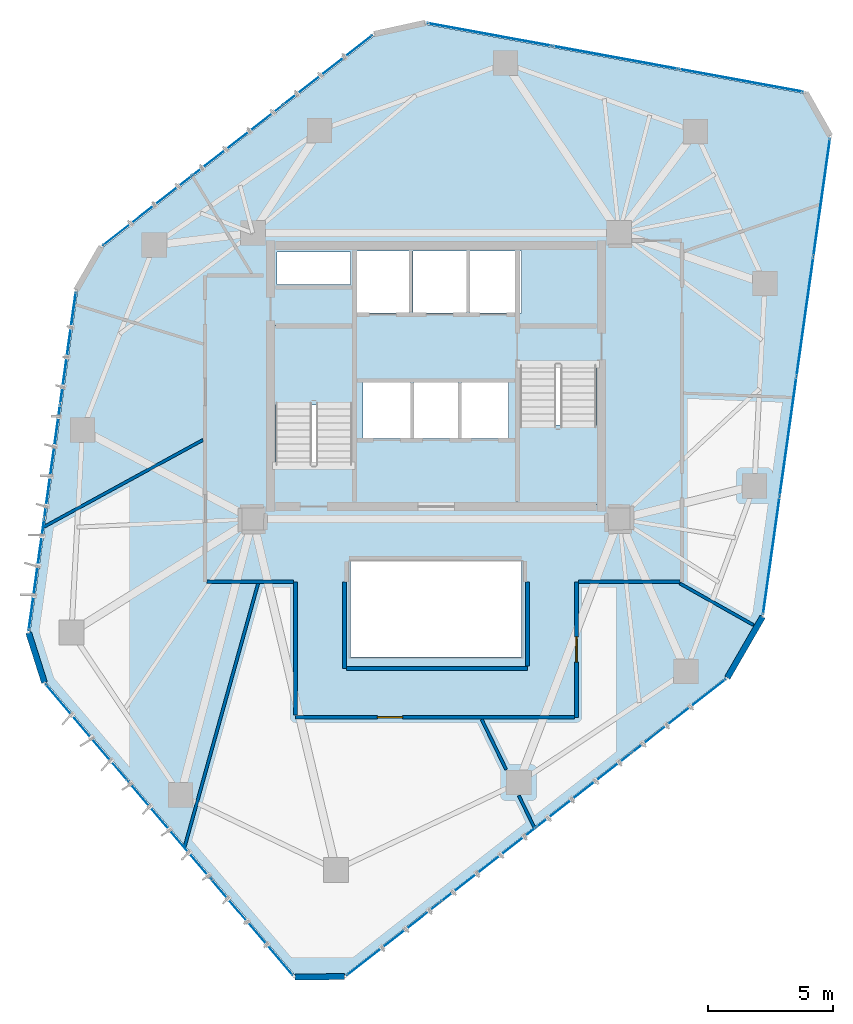
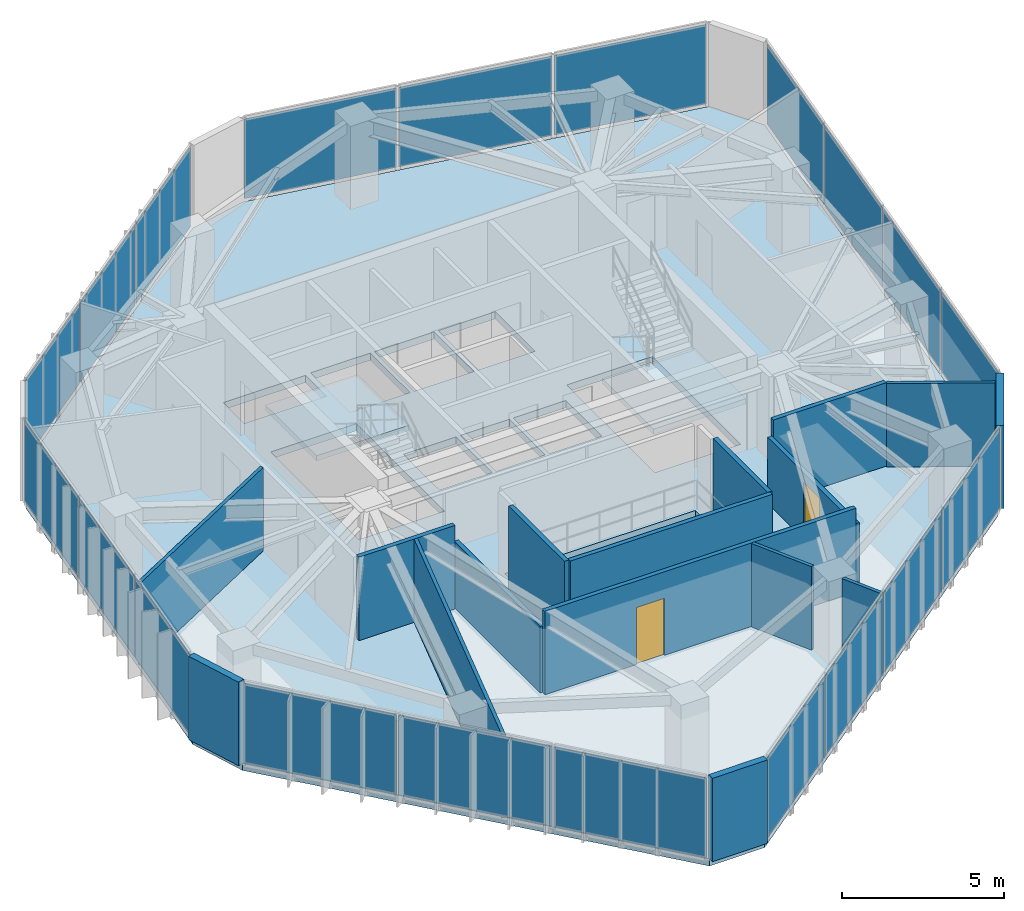
# One storey, part 17 of 21: 20 plates, 16 walls, 3 slabs, 2 doors, 2 openings, 8 elements without a shape of their own.
"""IFC4 building model written with IfcOpenShell, lengths in metres."""

import ifcopenshell
import ifcopenshell.guid

model = None  # the IFC model being written
_history = None  # IfcOwnerHistory: only IFC2X3 demands one
_inside = {}  # id of a spatial element -> (the spatial element, [elements in it])
_under = {}  # id of a project, library or spatial element -> (it, [spatial elements below it])
_declared = {}  # id of a project -> (the project, [libraries it declares])
_typed = {}  # id of a type object -> (the type object, [elements of that type])
_made_of = {}  # id of a material, layer set ... -> (it, [elements and type objects made of it])


def new_model(schema):
    """Start an empty IFC model of exactly this schema.

    Asked for "IFC4X3", IfcOpenShell would pick the latest addendum, in which some entities
    have other attributes; the version numbers below select the first issue.
    IFC2X3 requires an IfcOwnerHistory on every rooted entity: one is made here for all.
    """
    global model, _history
    if schema == "IFC4X3":
        model = ifcopenshell.file(schema_version=(4, 3, 0, 0))
    else:
        model = ifcopenshell.file(schema=schema)
    _inside.clear()
    _under.clear()
    _declared.clear()
    _typed.clear()
    _made_of.clear()
    _history = None
    if model.schema == "IFC2X3":
        org = make("IfcOrganization", Name="unknown")
        user = make(
            "IfcPersonAndOrganization",
            ThePerson=make("IfcPerson", FamilyName="unknown"),
            TheOrganization=org,
        )
        app = make(
            "IfcApplication",
            ApplicationDeveloper=org,
            Version="unknown",
            ApplicationFullName="unknown",
            ApplicationIdentifier="unknown",
        )
        _history = make(
            "IfcOwnerHistory",
            OwningUser=user,
            OwningApplication=app,
            ChangeAction="ADDED",
            CreationDate=0,
        )
    return model


def make(cls, **values):
    """One entity of the class cls with the attributes given. An attribute that is None is left unset."""
    return model.create_entity(
        cls, **{name: value for name, value in values.items() if value is not None}
    )


def rooted(cls, **values):
    """An entity with a GlobalId (a new one), such as an element, a storey or a relation."""
    return make(cls, GlobalId=ifcopenshell.guid.new(), OwnerHistory=_history, **values)


def si_unit(unit_type, name, prefix=None):
    """IfcSIUnit, for example si_unit("LENGTHUNIT", "METRE", prefix="MILLI")."""
    return make("IfcSIUnit", UnitType=unit_type, Prefix=prefix, Name=name)


def assignment(units):
    """IfcUnitAssignment: the units of a project."""
    return None if units is None else make("IfcUnitAssignment", Units=units)


def point(xyz):
    """IfcCartesianPoint."""
    return None if xyz is None else make("IfcCartesianPoint", Coordinates=xyz)


def direction(xyz):
    """IfcDirection."""
    return None if xyz is None else make("IfcDirection", DirectionRatios=xyz)


def frame(location, z_axis=None, x_axis=None):
    """IfcAxis2Placement3D, a coordinate frame: its origin and axes. An axis left out is left unset."""
    return make(
        "IfcAxis2Placement3D",
        Location=point(location),
        Axis=direction(z_axis),
        RefDirection=direction(x_axis),
    )


def frame_2d(location, x_axis=None):
    """IfcAxis2Placement2D, a coordinate frame in the plane: its origin and x axis."""
    return make(
        "IfcAxis2Placement2D", Location=point(location), RefDirection=direction(x_axis)
    )


def origin():
    """The frame at (0, 0, 0) with its axes left unset."""
    return frame((0.0, 0.0, 0.0))


def origin_2d():
    """The frame at (0, 0) in the plane with its x axis left unset."""
    return frame_2d((0.0, 0.0))


def place(relative_to, where):
    """IfcLocalPlacement: puts the frame where relative to a parent placement (None: the world)."""
    return make(
        "IfcLocalPlacement", PlacementRelTo=relative_to, RelativePlacement=where
    )


def context(
    kind, dimensions, precision=None, world=None, true_north=None, identifier=None
):
    """IfcGeometricRepresentationContext, for example the 3D "Model" context."""
    return make(
        "IfcGeometricRepresentationContext",
        ContextIdentifier=identifier,
        ContextType=kind,
        CoordinateSpaceDimension=dimensions,
        Precision=precision,
        WorldCoordinateSystem=world,
        TrueNorth=true_north,
    )


def subcontext(parent, identifier, kind, view, scale=None):
    """IfcGeometricRepresentationSubContext, for example "Body" below "Model"."""
    return make(
        "IfcGeometricRepresentationSubContext",
        ContextIdentifier=identifier,
        ContextType=kind,
        ParentContext=parent,
        TargetScale=scale,
        TargetView=view,
    )


def project(units=None, contexts=None):
    """IfcProject with its units and contexts."""
    return rooted(
        "IfcProject",
        Name="project",
        RepresentationContexts=contexts,
        UnitsInContext=assignment(units),
    )


def spatial(cls, under=None, at=None, **own):
    """A site, building, storey or space (cls), placed at a placement, below another one or the project."""
    s = rooted(cls, ObjectPlacement=at, **own)
    if under is not None:
        _under.setdefault(under.id(), (under, []))[1].append(s)
    return s


def polyline(points):
    """IfcPolyline through the points."""
    return make("IfcPolyline", Points=[point(p) for p in points])


def profile(cls, at=None, kind="AREA", **sizes):
    """A parametric profile (cls). Its sizes go by their IFC names, for example OverallWidth=200.0."""
    return make(cls, ProfileType=kind, Position=at, **sizes)


def rectangle(**sizes):
    """IfcRectangleProfileDef."""
    return profile("IfcRectangleProfileDef", **sizes)


def outline(outer, holes=None, kind="AREA"):
    """IfcArbitraryClosedProfileDef: a profile drawn as a closed curve; with holes, ...WithVoids."""
    if holes is None:
        return make("IfcArbitraryClosedProfileDef", ProfileType=kind, OuterCurve=outer)
    return make(
        "IfcArbitraryProfileDefWithVoids",
        ProfileType=kind,
        OuterCurve=outer,
        InnerCurves=holes,
    )


def extrude(swept, where, along, depth):
    """IfcExtrudedAreaSolid: the profile swept, set in the frame where, extruded along a direction by depth."""
    return make(
        "IfcExtrudedAreaSolid",
        SweptArea=swept,
        Position=where,
        ExtrudedDirection=direction(along),
        Depth=depth,
    )


def shape(context_of_items, identifier, shape_type, items):
    """IfcShapeRepresentation: the items that make up one representation, for example the "Body"."""
    return make(
        "IfcShapeRepresentation",
        ContextOfItems=context_of_items,
        RepresentationIdentifier=identifier,
        RepresentationType=shape_type,
        Items=items,
    )


def source(mapping_origin, context_of_items, identifier, shape_type, items):
    """IfcRepresentationMap: a shape defined once, which mapped items show again and again."""
    return make(
        "IfcRepresentationMap",
        MappingOrigin=mapping_origin,
        MappedRepresentation=shape(context_of_items, identifier, shape_type, items),
    )


def transform(
    local_origin,
    x_axis=None,
    y_axis=None,
    z_axis=None,
    scale=None,
    scale2=None,
    scale3=None,
    uniform=True,
):
    """IfcCartesianTransformationOperator3D, or its non-uniform kind. x_axis, y_axis, z_axis: its Axis1, 2, 3."""
    if uniform:
        return make(
            "IfcCartesianTransformationOperator3D",
            Axis1=direction(x_axis),
            Axis2=direction(y_axis),
            LocalOrigin=point(local_origin),
            Scale=scale,
            Axis3=direction(z_axis),
        )
    return make(
        "IfcCartesianTransformationOperator3DnonUniform",
        Axis1=direction(x_axis),
        Axis2=direction(y_axis),
        LocalOrigin=point(local_origin),
        Scale=scale,
        Axis3=direction(z_axis),
        Scale2=scale2,
        Scale3=scale3,
    )


def mapped(mapping_source, mapping_target):
    """IfcMappedItem: shows the shape of a source again, moved by a transform."""
    return make(
        "IfcMappedItem", MappingSource=mapping_source, MappingTarget=mapping_target
    )


def material(Name=None, Category=None):
    """IfcMaterial."""
    return make("IfcMaterial", Name=Name, Category=Category)


def layer(
    of_material, thickness, ventilated=None, Name=None, Category=None, Priority=None
):
    """IfcMaterialLayer: one layer of a wall or slab, of a material (None: an air gap)."""
    return make(
        "IfcMaterialLayer",
        Material=of_material,
        LayerThickness=thickness,
        IsVentilated=ventilated,
        Name=Name,
        Category=Category,
        Priority=Priority,
    )


def layer_set(layers, Name=None):
    """IfcMaterialLayerSet."""
    return make("IfcMaterialLayerSet", MaterialLayers=layers, LayerSetName=Name)


def made_of(thing, what):
    """Note that an element or type object is made of a material, layer set ...; save() writes the relation."""
    if what is not None:
        _made_of.setdefault(what.id(), (what, []))[1].append(thing)
    return thing


def type_object(cls, material=None, **own):
    """A type object (cls), such as IfcWallType, which elements share."""
    return made_of(rooted(cls, **own), material)


def type_shapes(of_type, sources):
    """Give a type object the sources (RepresentationMaps) that its elements show as mapped items."""
    of_type.RepresentationMaps = sources


def element(
    cls,
    number,
    at=None,
    inside=None,
    cuts=None,
    type_object=None,
    material=None,
    context=None,
    identifier="Body",
    shape_type=None,
    held_by="IfcProductDefinitionShape",
    body=None,
    shapes=None,
    **own,
):
    """One element of the class cls, such as IfcWall. Its Tag is "e" and its number.

    at: its placement. inside: the storey or other place that contains it. cuts: it is an
    opening in that element (IfcRelVoidsElement). A single representation is given by context,
    identifier, shape_type and body (its items); several are given by shapes. held_by: the class
    of the entity that holds the representations. save() writes the other relations.
    """
    e = rooted(cls, Tag="e%d" % number, ObjectPlacement=at, **own)
    if body is not None:
        shapes = [shape(context, identifier, shape_type, body)]
    if shapes is not None:
        e.Representation = make(held_by, Representations=shapes)
    if inside is not None:
        _inside.setdefault(inside.id(), (inside, []))[1].append(e)
    if cuts is not None:
        rooted(
            "IfcRelVoidsElement", RelatingBuildingElement=cuts, RelatedOpeningElement=e
        )
    if type_object is not None:
        _typed.setdefault(type_object.id(), (type_object, []))[1].append(e)
    return made_of(e, material)


def fill(opening, filler):
    """IfcRelFillsElement: the door or window that sits in an opening."""
    return rooted(
        "IfcRelFillsElement",
        RelatingOpeningElement=opening,
        RelatedBuildingElement=filler,
    )


def aggregate(whole, parts):
    """IfcRelAggregates: a whole, such as a stair, and the parts it consists of."""
    return rooted("IfcRelAggregates", RelatingObject=whole, RelatedObjects=parts)


def save(model, path):
    """Write the relations noted so far, then the file.

    IfcRelAggregates (storeys below a building ...), IfcRelContainedInSpatialStructure (elements
    in a storey), IfcRelDefinesByType, IfcRelAssociatesMaterial and IfcRelDeclares: one each for
    every whole, place, type object, material and project.
    """
    for whole, parts in _under.values():
        aggregate(whole, parts)
    for where, things in _inside.values():
        rooted(
            "IfcRelContainedInSpatialStructure",
            RelatedElements=things,
            RelatingStructure=where,
        )
    for kind, things in _typed.values():
        rooted("IfcRelDefinesByType", RelatedObjects=things, RelatingType=kind)
    for what, things in _made_of.values():
        rooted("IfcRelAssociatesMaterial", RelatedObjects=things, RelatingMaterial=what)
    for by, libraries in _declared.values():
        rooted("IfcRelDeclares", RelatingContext=by, RelatedDefinitions=libraries)
    model.write(path)


model = new_model("IFC4")

# Units and contexts
model_context = context("Model", 3, precision=1e-05, world=origin(), true_north=direction((0.0, 1.0)))
body_context = subcontext(model_context, "Body", "Model", "MODEL_VIEW")
ifc_project = project(units=[si_unit("LENGTHUNIT", "METRE"), si_unit("AREAUNIT", "SQUARE_METRE"), si_unit("VOLUMEUNIT", "CUBIC_METRE"), si_unit("PLANEANGLEUNIT", "RADIAN"), si_unit("MASSUNIT", "GRAM", prefix="KILO")], contexts=[model_context])

# Site, building, storey
site_placement = place(None, origin())
site = spatial("IfcSite", under=ifc_project, at=site_placement, CompositionType="ELEMENT")
building_placement = place(site_placement, origin())
building = spatial("IfcBuilding", under=site, at=building_placement, Name="Talar Marvaseh", CompositionType="ELEMENT")
storey_placement = place(building_placement, frame((0.0, 0.0, 232.699951171875)))
storey = spatial("IfcBuildingStorey", under=building, at=storey_placement, Name="L61", CompositionType="ELEMENT", Elevation=232.699951171875)

# Stair, slab
ifc_material_1 = material(Name="Concrete C40/50", Category="concrete")
stair_type = type_object("IfcStairType", Name="Reinforced Concrete High-Rise Exit Stair Type C", PredefinedType="HALF_TURN_STAIR", material=ifc_material_1)
stair_1_placement = place(storey_placement, origin())
stair_1 = element("IfcStair", 1, at=stair_1_placement, inside=storey, type_object=stair_type, Name="L61 Tower West Core Exit Stair", PredefinedType="HALF_TURN_STAIR")
ifc_layer_1 = layer(ifc_material_1, 0.199951171875)
ifc_layer_set_1 = layer_set([ifc_layer_1], Name="Concrete C40/50")
slab_type_1 = type_object("IfcSlabType", Name="Reinforced Concrete Stair Half-Landing Slab 200", PredefinedType="LANDING", material=ifc_layer_set_1)
slab_1_placement = place(storey_placement, frame((0.0, 0.0, 1.550048828125)))
slab_1 = element("IfcSlab", 2, at=slab_1_placement, type_object=slab_type_1, Name="ST-1 landing 1", PredefinedType="LANDING", context=body_context, shape_type="SweptSolid", body=[
    extrude(outline(polyline([(22.780029296875, 30.050048828125), (22.780029296875, 33.219970703125), (19.47998046875, 33.219970703125), (19.47998046875, 30.050048828125), (22.780029296875, 30.050048828125)])), origin(), (0.0, 0.0, 1.0), 0.199951171875),
])
aggregate(stair_1, [slab_1])

stair_2_placement = place(storey_placement, origin())
stair_2 = element("IfcStair", 3, at=stair_2_placement, inside=storey, type_object=stair_type, Name="L61 Tower East Core Exit Stair", PredefinedType="HALF_TURN_STAIR")
slab_2_placement = place(storey_placement, frame((0.0, 0.0, 1.550048828125)))
slab_2 = element("IfcSlab", 4, at=slab_2_placement, type_object=slab_type_1, Name="ST-2 landing 1", PredefinedType="LANDING", context=body_context, shape_type="SweptSolid", body=[
    extrude(outline(polyline([(29.219970703125, 29.25), (29.219970703125, 26.080078125), (32.52001953125, 26.080078125), (32.52001953125, 29.25), (29.219970703125, 29.25)])), origin(), (0.0, 0.0, 1.0), 0.199951171875),
])
aggregate(stair_2, [slab_2])

# Slab
ifc_layer_2 = layer(ifc_material_1, 0.27001953125)
ifc_layer_set_2 = layer_set([ifc_layer_2], Name="Concrete C40/50")
slab_type_2 = type_object("IfcSlabType", Name="Structural Suspended Floor Slab 270", PredefinedType="FLOOR", material=ifc_layer_set_2)
slab_3_placement = place(storey_placement, frame((0.0, 0.0, -0.27001953125)))
element("IfcSlab", 5, at=slab_3_placement, inside=storey, type_object=slab_type_2, Name="L61 Tower Floor Slab", PredefinedType="FLOOR", context=body_context, shape_type="SweptSolid", body=[
    extrude(outline(polyline([(22.362060546875, 7.323486328125), (20.38427734375, 7.308837890625), (10.453857421875, 18.99951171875), (9.8212890625, 20.98974609375), (11.71630859375, 34.590087890625), (12.718017578125, 36.324951171875), (23.548583984375, 44.76611328125), (25.588623046875, 45.213623046875), (40.67822265625, 42.458984375), (41.654296875, 40.739013671875), (38.967041015625, 21.638916015625), (37.5595703125, 19.20068359375), (22.362060546875, 7.323486328125)]), holes=[polyline([(22.659912109375, 27.64990234375), (22.659912109375, 33.10009765625), (19.60009765625, 33.10009765625), (19.60009765625, 27.64990234375), (22.659912109375, 27.64990234375)]), polyline([(29.340087890625, 31.64990234375), (29.340087890625, 26.199951171875), (32.39990234375, 26.199951171875), (32.39990234375, 31.64990234375), (29.340087890625, 31.64990234375)]), polyline([(22.800048828125, 33.719970703125), (24.93994140625, 33.719970703125), (24.93994140625, 36.179931640625), (22.800048828125, 36.179931640625), (22.800048828125, 33.719970703125)]), polyline([(25.080078125, 33.719970703125), (27.219970703125, 33.719970703125), (27.219970703125, 36.179931640625), (25.080078125, 36.179931640625), (25.080078125, 33.719970703125)]), polyline([(27.360107421875, 33.719970703125), (29.39990234375, 33.719970703125), (29.39990234375, 36.179931640625), (27.360107421875, 36.179931640625), (27.360107421875, 33.719970703125)]), polyline([(23.10009765625, 28.719970703125), (24.97998046875, 28.719970703125), (24.97998046875, 30.93994140625), (23.10009765625, 30.93994140625), (23.10009765625, 28.719970703125)]), polyline([(25.1201171875, 28.719970703125), (26.8798828125, 28.719970703125), (26.8798828125, 30.93994140625), (25.1201171875, 30.93994140625), (25.1201171875, 28.719970703125)]), polyline([(27.02001953125, 28.719970703125), (28.89990234375, 28.719970703125), (28.89990234375, 30.93994140625), (27.02001953125, 30.93994140625), (27.02001953125, 28.719970703125)]), polyline([(19.659912109375, 34.840087890625), (22.60009765625, 34.840087890625), (22.60009765625, 36.139892578125), (19.659912109375, 36.139892578125), (19.659912109375, 34.840087890625)]), polyline([(22.60009765625, 20.0), (29.39990234375, 20.0), (29.39990234375, 23.800048828125), (22.60009765625, 23.800048828125), (22.60009765625, 20.0)])]), origin(), (0.0, 0.0, 1.0), 0.27001953125),
])

# Curtain wall, plates
ifc_material_2 = material(Name="Architectural Aluminium", Category="aluminium")
ifc_layer_3 = layer(ifc_material_2, 0.18994140625)
ifc_layer_set_3 = layer_set([ifc_layer_3], Name="Architectural Aluminium")
curtain_wall_type = type_object("IfcCurtainWallType", Name="Unitised Solar Atelier Curtain Wall Z3", PredefinedType="NOTDEFINED", material=ifc_layer_set_3)
curtain_wall_1_placement = place(storey_placement, origin())
curtain_wall_1 = element("IfcCurtainWall", 6, at=curtain_wall_1_placement, inside=storey, type_object=curtain_wall_type, Name="L61 Unitised Solar Atelier Curtain Wall Z3", PredefinedType="NOTDEFINED")
ifc_material_3 = material(Name="Laminated Low-E Solar Glass", Category="glass")
ifc_layer_4 = layer(ifc_material_3, 0.028076171875)
ifc_layer_set_4 = layer_set([ifc_layer_4], Name="Laminated Low-E Solar Glass")
plate_type = type_object("IfcPlateType", Name="Double-Glazed Low-E Vision Curtain Panel 28", PredefinedType="CURTAIN_PANEL", material=ifc_layer_set_4)
shared_shape_1 = source(origin(), body_context, "Body", "SweptSolid", [
    extrude(rectangle(XDim=5.00048828125, YDim=0.028076171875, at=origin_2d()), origin(), (0.0, 0.0, 1.0), 3.0),
])
plate_1_placement = place(storey_placement, frame((18.67138671875, 9.232666015625, 0.074951171875), z_axis=(0.0, 0.0, 1.0), x_axis=(-0.647401995329, 0.76214871019, 0.0)))
plate_1 = element("IfcPlate", 7, at=plate_1_placement, type_object=plate_type, Name="CW-Z3 panel 1.1", PredefinedType="CURTAIN_PANEL", context=body_context, shape_type="MappedRepresentation", body=[
    mapped(shared_shape_1, transform((0.0, 0.0, 0.0), x_axis=(1.0, 0.0, 0.0), y_axis=(0.0, 1.0, 0.0), z_axis=(0.0, 0.0, 1.0), scale=1.0)),
])
plate_2_placement = place(storey_placement, frame((12.075439453125, 16.997802734375, 0.074951171875), z_axis=(0.0, 0.0, 1.0), x_axis=(-0.647401995329, 0.76214871019, 0.0)))
plate_2 = element("IfcPlate", 8, at=plate_2_placement, type_object=plate_type, Name="CW-Z3 panel 3.1", PredefinedType="CURTAIN_PANEL", context=body_context, shape_type="MappedRepresentation", body=[
    mapped(shared_shape_1, transform((0.0, 0.0, 0.0), x_axis=(1.0, 0.0, 0.0), y_axis=(0.0, 1.0, 0.0), z_axis=(0.0, 0.0, 1.0), scale=1.0)),
])

curtain_wall_2_placement = place(storey_placement, origin())
curtain_wall_2 = element("IfcCurtainWall", 9, at=curtain_wall_2_placement, inside=storey, type_object=curtain_wall_type, Name="L61 Unitised Solar Atelier Curtain Wall Z3", PredefinedType="NOTDEFINED")
plate_3_placement = place(storey_placement, frame((28.1328125, 44.810302734375, 0.074951171875), z_axis=(0.0, 0.0, 1.0), x_axis=(0.983740728312, -0.17959448616, 0.0)))
plate_3 = element("IfcPlate", 10, at=plate_3_placement, type_object=plate_type, Name="CW-Z3 panel 1.1", PredefinedType="CURTAIN_PANEL", context=body_context, shape_type="MappedRepresentation", body=[
    mapped(shared_shape_1, transform((0.0, 0.0, 0.0), x_axis=(1.0, 0.0, 0.0), y_axis=(0.0, 1.0, 0.0), z_axis=(0.0, 0.0, 1.0), scale=1.0)),
])
plate_4_placement = place(storey_placement, frame((38.15576171875, 42.98046875, 0.074951171875), z_axis=(0.0, 0.0, 1.0), x_axis=(0.983740728312, -0.17959448616, 0.0)))
plate_4 = element("IfcPlate", 11, at=plate_4_placement, type_object=plate_type, Name="CW-Z3 panel 3.1", PredefinedType="CURTAIN_PANEL", context=body_context, shape_type="MappedRepresentation", body=[
    mapped(shared_shape_1, transform((0.0, 0.0, 0.0), x_axis=(1.0, 0.0, 0.0), y_axis=(0.0, 1.0, 0.0), z_axis=(0.0, 0.0, 1.0), scale=1.0)),
])

# Plate
shared_shape_2 = source(origin(), body_context, "Body", "SweptSolid", [
    extrude(rectangle(XDim=5.0380859375, YDim=0.028076171875, at=origin_2d()), origin(), (0.0, 0.0, 1.0), 3.0),
])
plate_5_placement = place(storey_placement, frame((15.373291015625, 13.115234375, 0.074951171875), z_axis=(0.0, 0.0, 1.0), x_axis=(-0.647401995329, 0.76214871019, 0.0)))
plate_5 = element("IfcPlate", 12, at=plate_5_placement, type_object=plate_type, Name="CW-Z3 panel 2.1", PredefinedType="CURTAIN_PANEL", context=body_context, shape_type="MappedRepresentation", body=[
    mapped(shared_shape_2, transform((0.0, 0.0, 0.0), x_axis=(1.0, 0.0, 0.0), y_axis=(0.0, 1.0, 0.0), z_axis=(0.0, 0.0, 1.0), scale=1.0)),
])

aggregate(curtain_wall_1, [plate_1, plate_5, plate_2])

plate_6_placement = place(storey_placement, frame((33.144287109375, 43.895263671875, 0.074951171875), z_axis=(0.0, 0.0, 1.0), x_axis=(0.983740728312, -0.17959448616, 0.0)))
plate_6 = element("IfcPlate", 13, at=plate_6_placement, type_object=plate_type, Name="CW-Z3 panel 2.1", PredefinedType="CURTAIN_PANEL", context=body_context, shape_type="MappedRepresentation", body=[
    mapped(shared_shape_2, transform((0.0, 0.0, 0.0), x_axis=(1.0, 0.0, 0.0), y_axis=(0.0, 1.0, 0.0), z_axis=(0.0, 0.0, 1.0), scale=1.0)),
])

aggregate(curtain_wall_2, [plate_3, plate_6, plate_4])

# Curtain wall, plates
curtain_wall_3_placement = place(storey_placement, origin())
curtain_wall_3 = element("IfcCurtainWall", 14, at=curtain_wall_3_placement, inside=storey, type_object=curtain_wall_type, Name="L61 Unitised Solar Atelier Curtain Wall Z3", PredefinedType="NOTDEFINED")
shared_shape_3 = source(origin(), body_context, "Body", "SweptSolid", [
    extrude(rectangle(XDim=4.46484375, YDim=0.028076171875, at=origin_2d()), origin(), (0.0, 0.0, 1.0), 3.0),
])
plate_7_placement = place(storey_placement, frame((10.080322265625, 23.283447265625, 0.074951171875), z_axis=(0.0, 0.0, 1.0), x_axis=(0.137993856972, 0.990433084786, 0.0)))
plate_7 = element("IfcPlate", 15, at=plate_7_placement, type_object=plate_type, Name="CW-Z3 panel 1.1", PredefinedType="CURTAIN_PANEL", context=body_context, shape_type="MappedRepresentation", body=[
    mapped(shared_shape_3, transform((0.0, 0.0, 0.0), x_axis=(1.0, 0.0, 0.0), y_axis=(0.0, 1.0, 0.0), z_axis=(0.0, 0.0, 1.0), scale=1.0)),
])
plate_8_placement = place(storey_placement, frame((11.33837890625, 32.313232421875, 0.074951171875), z_axis=(0.0, 0.0, 1.0), x_axis=(0.137993856972, 0.990433084786, 0.0)))
plate_8 = element("IfcPlate", 16, at=plate_8_placement, type_object=plate_type, Name="CW-Z3 panel 3.1", PredefinedType="CURTAIN_PANEL", context=body_context, shape_type="MappedRepresentation", body=[
    mapped(shared_shape_3, transform((0.0, 0.0, 0.0), x_axis=(1.0, 0.0, 0.0), y_axis=(0.0, 1.0, 0.0), z_axis=(0.0, 0.0, 1.0), scale=1.0)),
])

curtain_wall_4_placement = place(storey_placement, origin())
curtain_wall_4 = element("IfcCurtainWall", 17, at=curtain_wall_4_placement, inside=storey, type_object=curtain_wall_type, Name="L61 Unitised Solar Atelier Curtain Wall Z3", PredefinedType="NOTDEFINED")
plate_9_placement = place(storey_placement, frame((14.5009765625, 37.79052734375, 0.074951171875), z_axis=(0.0, 0.0, 1.0), x_axis=(0.788736961277, 0.614730840218, 0.0)))
plate_9 = element("IfcPlate", 18, at=plate_9_placement, type_object=plate_type, Name="CW-Z3 panel 1.1", PredefinedType="CURTAIN_PANEL", context=body_context, shape_type="MappedRepresentation", body=[
    mapped(shared_shape_3, transform((0.0, 0.0, 0.0), x_axis=(1.0, 0.0, 0.0), y_axis=(0.0, 1.0, 0.0), z_axis=(0.0, 0.0, 1.0), scale=1.0)),
])
plate_10_placement = place(storey_placement, frame((21.69189453125, 43.39501953125, 0.074951171875), z_axis=(0.0, 0.0, 1.0), x_axis=(0.788736961277, 0.614730840218, 0.0)))
plate_10 = element("IfcPlate", 19, at=plate_10_placement, type_object=plate_type, Name="CW-Z3 panel 3.1", PredefinedType="CURTAIN_PANEL", context=body_context, shape_type="MappedRepresentation", body=[
    mapped(shared_shape_3, transform((0.0, 0.0, 0.0), x_axis=(1.0, 0.0, 0.0), y_axis=(0.0, 1.0, 0.0), z_axis=(0.0, 0.0, 1.0), scale=1.0)),
])

# Plate
shared_shape_4 = source(origin(), body_context, "Body", "SweptSolid", [
    extrude(rectangle(XDim=4.502197265625, YDim=0.028076171875, at=origin_2d()), origin(), (0.0, 0.0, 1.0), 3.0),
])
plate_11_placement = place(storey_placement, frame((10.70947265625, 27.79833984375, 0.074951171875), z_axis=(0.0, 0.0, 1.0), x_axis=(0.137993856972, 0.990433084786, 0.0)))
plate_11 = element("IfcPlate", 20, at=plate_11_placement, type_object=plate_type, Name="CW-Z3 panel 2.1", PredefinedType="CURTAIN_PANEL", context=body_context, shape_type="MappedRepresentation", body=[
    mapped(shared_shape_4, transform((0.0, 0.0, 0.0), x_axis=(1.0, 0.0, 0.0), y_axis=(0.0, 1.0, 0.0), z_axis=(0.0, 0.0, 1.0), scale=1.0)),
])

aggregate(curtain_wall_3, [plate_7, plate_11, plate_8])

plate_12_placement = place(storey_placement, frame((18.096435546875, 40.5927734375, 0.074951171875), z_axis=(0.0, 0.0, 1.0), x_axis=(0.788736961277, 0.614730840218, 0.0)))
plate_12 = element("IfcPlate", 21, at=plate_12_placement, type_object=plate_type, Name="CW-Z3 panel 2.1", PredefinedType="CURTAIN_PANEL", context=body_context, shape_type="MappedRepresentation", body=[
    mapped(shared_shape_4, transform((0.0, 0.0, 0.0), x_axis=(1.0, 0.0, 0.0), y_axis=(0.0, 1.0, 0.0), z_axis=(0.0, 0.0, 1.0), scale=1.0)),
])

aggregate(curtain_wall_4, [plate_9, plate_12, plate_10])

# Curtain wall, plates
curtain_wall_5_placement = place(storey_placement, origin())
curtain_wall_5 = element("IfcCurtainWall", 22, at=curtain_wall_5_placement, inside=storey, type_object=curtain_wall_type, Name="L61 Unitised Solar Atelier Curtain Wall Z3", PredefinedType="NOTDEFINED")
shared_shape_5 = source(origin(), body_context, "Body", "SweptSolid", [
    extrude(rectangle(XDim=4.70947265625, YDim=0.028076171875, at=origin_2d()), origin(), (0.0, 0.0, 1.0), 3.0),
])
plate_13_placement = place(storey_placement, frame((41.375244140625, 38.324462890625, 0.074951171875), z_axis=(0.0, 0.0, 1.0), x_axis=(-0.139323385282, -0.990246936028, 0.0)))
plate_13 = element("IfcPlate", 23, at=plate_13_placement, type_object=plate_type, Name="CW-Z3 panel 1.1", PredefinedType="CURTAIN_PANEL", context=body_context, shape_type="MappedRepresentation", body=[
    mapped(shared_shape_5, transform((0.0, 0.0, 0.0), x_axis=(1.0, 0.0, 0.0), y_axis=(0.0, 1.0, 0.0), z_axis=(0.0, 0.0, 1.0), scale=1.0)),
])
plate_14_placement = place(storey_placement, frame((39.364990234375, 24.036376953125, 0.074951171875), z_axis=(0.0, 0.0, 1.0), x_axis=(-0.139323385282, -0.990246936028, 0.0)))
plate_14 = element("IfcPlate", 24, at=plate_14_placement, type_object=plate_type, Name="CW-Z3 panel 4.1", PredefinedType="CURTAIN_PANEL", context=body_context, shape_type="MappedRepresentation", body=[
    mapped(shared_shape_5, transform((0.0, 0.0, 0.0), x_axis=(1.0, 0.0, 0.0), y_axis=(0.0, 1.0, 0.0), z_axis=(0.0, 0.0, 1.0), scale=1.0)),
])

curtain_wall_6_placement = place(storey_placement, origin())
curtain_wall_6 = element("IfcCurtainWall", 25, at=curtain_wall_6_placement, inside=storey, type_object=curtain_wall_type, Name="L61 Unitised Solar Atelier Curtain Wall Z3", PredefinedType="NOTDEFINED")
plate_15_placement = place(storey_placement, frame((35.681884765625, 17.6572265625, 0.074951171875), z_axis=(0.0, 0.0, 1.0), x_axis=(-0.787914870462, -0.61578418046, 0.0)))
plate_15 = element("IfcPlate", 26, at=plate_15_placement, type_object=plate_type, Name="CW-Z3 panel 1.1", PredefinedType="CURTAIN_PANEL", context=body_context, shape_type="MappedRepresentation", body=[
    mapped(shared_shape_5, transform((0.0, 0.0, 0.0), x_axis=(1.0, 0.0, 0.0), y_axis=(0.0, 1.0, 0.0), z_axis=(0.0, 0.0, 1.0), scale=1.0)),
])
plate_16_placement = place(storey_placement, frame((24.3134765625, 8.772216796875, 0.074951171875), z_axis=(0.0, 0.0, 1.0), x_axis=(-0.787914870462, -0.61578418046, 0.0)))
plate_16 = element("IfcPlate", 27, at=plate_16_placement, type_object=plate_type, Name="CW-Z3 panel 4.1", PredefinedType="CURTAIN_PANEL", context=body_context, shape_type="MappedRepresentation", body=[
    mapped(shared_shape_5, transform((0.0, 0.0, 0.0), x_axis=(1.0, 0.0, 0.0), y_axis=(0.0, 1.0, 0.0), z_axis=(0.0, 0.0, 1.0), scale=1.0)),
])

# Plate
shared_shape_6 = source(origin(), body_context, "Body", "SweptSolid", [
    extrude(rectangle(XDim=4.7470703125, YDim=0.028076171875, at=origin_2d()), origin(), (0.0, 0.0, 1.0), 3.0),
])
type_shapes(plate_type, [shared_shape_1, shared_shape_2, shared_shape_3, shared_shape_4, shared_shape_5, shared_shape_6])
plate_17_placement = place(storey_placement, frame((40.7060546875, 33.56787109375, 0.074951171875), z_axis=(0.0, 0.0, 1.0), x_axis=(-0.139323385282, -0.990246936028, 0.0)))
plate_17 = element("IfcPlate", 28, at=plate_17_placement, type_object=plate_type, Name="CW-Z3 panel 2.1", PredefinedType="CURTAIN_PANEL", context=body_context, shape_type="MappedRepresentation", body=[
    mapped(shared_shape_6, transform((0.0, 0.0, 0.0), x_axis=(1.0, 0.0, 0.0), y_axis=(0.0, 1.0, 0.0), z_axis=(0.0, 0.0, 1.0), scale=1.0)),
])

plate_18_placement = place(storey_placement, frame((40.0341796875, 28.79296875, 0.074951171875), z_axis=(0.0, 0.0, 1.0), x_axis=(-0.139323385282, -0.990246936028, 0.0)))
plate_18 = element("IfcPlate", 29, at=plate_18_placement, type_object=plate_type, Name="CW-Z3 panel 3.1", PredefinedType="CURTAIN_PANEL", context=body_context, shape_type="MappedRepresentation", body=[
    mapped(shared_shape_6, transform((0.0, 0.0, 0.0), x_axis=(1.0, 0.0, 0.0), y_axis=(0.0, 1.0, 0.0), z_axis=(0.0, 0.0, 1.0), scale=1.0)),
])

aggregate(curtain_wall_5, [plate_13, plate_17, plate_18, plate_14])

plate_19_placement = place(storey_placement, frame((31.897216796875, 14.699462890625, 0.074951171875), z_axis=(0.0, 0.0, 1.0), x_axis=(-0.787914870462, -0.61578418046, 0.0)))
plate_19 = element("IfcPlate", 30, at=plate_19_placement, type_object=plate_type, Name="CW-Z3 panel 2.1", PredefinedType="CURTAIN_PANEL", context=body_context, shape_type="MappedRepresentation", body=[
    mapped(shared_shape_6, transform((0.0, 0.0, 0.0), x_axis=(1.0, 0.0, 0.0), y_axis=(0.0, 1.0, 0.0), z_axis=(0.0, 0.0, 1.0), scale=1.0)),
])

plate_20_placement = place(storey_placement, frame((28.097900390625, 11.730224609375, 0.074951171875), z_axis=(0.0, 0.0, 1.0), x_axis=(-0.787914870462, -0.61578418046, 0.0)))
plate_20 = element("IfcPlate", 31, at=plate_20_placement, type_object=plate_type, Name="CW-Z3 panel 3.1", PredefinedType="CURTAIN_PANEL", context=body_context, shape_type="MappedRepresentation", body=[
    mapped(shared_shape_6, transform((0.0, 0.0, 0.0), x_axis=(1.0, 0.0, 0.0), y_axis=(0.0, 1.0, 0.0), z_axis=(0.0, 0.0, 1.0), scale=1.0)),
])

aggregate(curtain_wall_6, [plate_15, plate_19, plate_20, plate_16])

# Walls
ifc_material_4 = material(Name="Precast concrete C45/55", Category="concrete")
ifc_layer_5 = layer(ifc_material_4, 0.239990234375)
ifc_layer_set_5 = layer_set([ifc_layer_5], Name="Precast concrete C45/55")
wall_type_1 = type_object("IfcWallType", Name="Chamfered Hexagonal Corner Pier Wall Z3 240", PredefinedType="SOLIDWALL", material=ifc_layer_set_5)
wall_1_placement = place(storey_placement, frame((22.3623046875, 7.263427734375, 0.0), z_axis=(0.0, 0.0, 1.0), x_axis=(-0.999972566287, -0.007407204195, 0.0)))
element("IfcWall", 32, at=wall_1_placement, inside=storey, type_object=wall_type_1, Name="L61 Chamfered Corner Limestone Pier 1", PredefinedType="SOLIDWALL", context=body_context, shape_type="SweptSolid", body=[
    extrude(rectangle(XDim=1.9775390625, YDim=0.239990234375, at=frame_2d((0.98876953125, 0.0))), origin(), (0.0, 0.0, 1.0), 3.150146484375),
])
wall_2_placement = place(storey_placement, frame((10.396484375, 18.981201171875, 0.0), z_axis=(0.0, 0.0, 1.0), x_axis=(-0.302764546645, 0.953065385635, 0.0)))
element("IfcWall", 33, at=wall_2_placement, inside=storey, type_object=wall_type_1, Name="L61 Chamfered Corner Limestone Pier 2", PredefinedType="SOLIDWALL", context=body_context, shape_type="SweptSolid", body=[
    extrude(rectangle(XDim=2.088623046875, YDim=0.239990234375, at=frame_2d((1.04443359375, 0.0))), origin(), (0.0, 0.0, 1.0), 3.150146484375),
])
wall_3_placement = place(storey_placement, frame((39.01904296875, 21.60888671875, 0.0), z_axis=(0.0, 0.0, 1.0), x_axis=(-0.49997269499, -0.866041167766, 0.0)))
element("IfcWall", 34, at=wall_3_placement, inside=storey, type_object=wall_type_1, Name="L61 Chamfered Corner Limestone Pier 6", PredefinedType="SOLIDWALL", context=body_context, shape_type="SweptSolid", body=[
    extrude(rectangle(XDim=2.815185546875, YDim=0.239990234375, at=frame_2d((1.40771484375, 0.0))), origin(), (0.0, 0.0, 1.0), 3.150146484375),
])

# Wall, opening, door
ifc_material_5 = material(Name="Gypsum Board Partition Assembly")
ifc_layer_6 = layer(ifc_material_5, 0.155029296875)
ifc_layer_set_6 = layer_set([ifc_layer_6], Name="Gypsum Board Partition Assembly")
wall_type_2 = type_object("IfcWallType", Name="Corridor Fire-Rated Acoustic Partition 155", PredefinedType="PARTITIONING", material=ifc_layer_set_6)
wall_4_placement = place(storey_placement, frame((31.60009765625, 23.0, 0.0), z_axis=(0.0, 0.0, 1.0), x_axis=(0.0, -1.0, 0.0)))
wall_4 = element("IfcWall", 35, at=wall_4_placement, inside=storey, type_object=wall_type_2, Name="L61 Interior Partition Wall", PredefinedType="PARTITIONING", context=body_context, shape_type="SweptSolid", body=[
    extrude(rectangle(XDim=5.39990234375, YDim=0.155029296875, at=frame_2d((2.699951171875, 0.0))), origin(), (0.0, 0.0, 1.0), 2.509033203125),
])
opening_1_placement = place(wall_4_placement, frame((2.199951171875, 0.0, 0.0)))
opening_1 = element("IfcOpeningElement", 36, at=opening_1_placement, cuts=wall_4, Name="Opening DR-RM100", PredefinedType="OPENING", context=body_context, shape_type="SweptSolid", body=[
    extrude(rectangle(XDim=1.0, YDim=2.14990234375, at=frame_2d((0.5, 1.074951171875))), frame((0.0, 0.08740234375, 0.0), z_axis=(0.0, -1.0, 0.0), x_axis=(1.0, 0.0, 0.0)), (0.0, 0.0, 1.0), 0.175048828125),
])
ifc_material_6 = material(Name="Acoustic Engineered Oak Timber", Category="wood")
door_type = type_object("IfcDoorType", Name="Corridor Fire-Rated Gallery Door 1000x2150", OperationType="NOTDEFINED", PredefinedType="DOOR", material=ifc_material_6)
shared_shape_7 = source(origin(), body_context, "Body", "SweptSolid", [
    extrude(rectangle(XDim=1.0, YDim=2.14990234375, at=frame_2d((0.5, 1.074951171875))), frame((0.0, 0.02490234375, 0.0), z_axis=(0.0, -1.0, 0.0), x_axis=(1.0, 0.0, 0.0)), (0.0, 0.0, 1.0), 0.050048828125),
])
type_shapes(door_type, [shared_shape_7])
door_1_placement = place(opening_1_placement, origin())
door_1 = element("IfcDoor", 37, at=door_1_placement, inside=storey, type_object=door_type, Name="L61 Visitor Orientation Foyer Door", OperationType="SINGLE_SWING_RIGHT", OverallHeight=2.14990234375, OverallWidth=1.0, PredefinedType="DOOR", context=body_context, shape_type="MappedRepresentation", body=[
    mapped(shared_shape_7, transform((0.0, 0.0, 0.0), x_axis=(1.0, 0.0, 0.0), y_axis=(0.0, 1.0, 0.0), z_axis=(0.0, 0.0, 1.0), scale=1.0)),
])
fill(opening_1, door_1)

wall_5_placement = place(storey_placement, frame((31.5166015625, 17.60009765625, 0.0), z_axis=(0.0, 0.0, 1.0), x_axis=(-1.0, 0.0, 0.0)))
wall_5 = element("IfcWall", 38, at=wall_5_placement, inside=storey, type_object=wall_type_2, Name="L61 Interior Partition Wall", PredefinedType="PARTITIONING", context=body_context, shape_type="SweptSolid", body=[
    extrude(rectangle(XDim=11.11669921875, YDim=0.155029296875, at=frame_2d((5.558349609375, 0.0))), origin(), (0.0, 0.0, 1.0), 3.150146484375),
])
opening_2_placement = place(wall_5_placement, frame((6.849365234375, 0.0, 0.0)))
opening_2 = element("IfcOpeningElement", 39, at=opening_2_placement, cuts=wall_5, Name="Opening DR-RM100", PredefinedType="OPENING", context=body_context, shape_type="SweptSolid", body=[
    extrude(rectangle(XDim=1.0, YDim=2.14990234375, at=frame_2d((0.5, 1.074951171875))), frame((0.0, 0.08740234375, 0.0), z_axis=(0.0, -1.0, 0.0), x_axis=(1.0, 0.0, 0.0)), (0.0, 0.0, 1.0), 0.175048828125),
])
door_2_placement = place(opening_2_placement, origin())
door_2 = element("IfcDoor", 40, at=door_2_placement, inside=storey, type_object=door_type, Name="L61 Curatorial Staff Control Room Door", OperationType="SINGLE_SWING_LEFT", OverallHeight=2.14990234375, OverallWidth=1.0, PredefinedType="DOOR", context=body_context, shape_type="MappedRepresentation", body=[
    mapped(shared_shape_7, transform((0.0, 0.0, 0.0), x_axis=(1.0, 0.0, 0.0), y_axis=(0.0, 1.0, 0.0), z_axis=(0.0, 0.0, 1.0), scale=1.0)),
])
fill(opening_2, door_2)

# Walls
wall_6_placement = place(storey_placement, frame((35.716552734375, 23.0, 0.0), z_axis=(0.0, 0.0, 1.0), x_axis=(-1.0, 0.0, 0.0)))
element("IfcWall", 41, at=wall_6_placement, inside=storey, type_object=wall_type_2, Name="L61 Interior Partition Wall", PredefinedType="PARTITIONING", context=body_context, shape_type="SweptSolid", body=[
    extrude(rectangle(XDim=4.032958984375, YDim=0.155029296875, at=frame_2d((2.0166015625, 0.0))), origin(), (0.0, 0.0, 1.0), 3.150146484375),
])
wall_7_placement = place(storey_placement, frame((20.39990234375, 17.68359375, 0.0), z_axis=(0.0, 0.0, 1.0), x_axis=(0.0, 1.0, 0.0)))
element("IfcWall", 42, at=wall_7_placement, inside=storey, type_object=wall_type_2, Name="L61 Interior Partition Wall", PredefinedType="PARTITIONING", context=body_context, shape_type="SweptSolid", body=[
    extrude(rectangle(XDim=5.31640625, YDim=0.155029296875, at=frame_2d((2.658203125, 0.0))), origin(), (0.0, 0.0, 1.0), 2.509033203125),
])
wall_8_placement = place(storey_placement, frame((20.31640625, 23.0, 0.0), z_axis=(0.0, 0.0, 1.0), x_axis=(-1.0, 0.0, 0.0)))
element("IfcWall", 43, at=wall_8_placement, inside=storey, type_object=wall_type_2, Name="L61 Interior Partition Wall", PredefinedType="PARTITIONING", context=body_context, shape_type="SweptSolid", body=[
    extrude(rectangle(XDim=3.432861328125, YDim=0.155029296875, at=frame_2d((1.71630859375, 0.0))), origin(), (0.0, 0.0, 1.0), 3.150146484375),
])
wall_9_placement = place(storey_placement, frame((22.35009765625, 23.0, 0.0), z_axis=(0.0, 0.0, 1.0), x_axis=(0.0, -1.0, 0.0)))
element("IfcWall", 44, at=wall_9_placement, inside=storey, type_object=wall_type_2, Name="L61 Interior Partition Wall", PredefinedType="PARTITIONING", context=body_context, shape_type="SweptSolid", body=[
    extrude(rectangle(XDim=3.449951171875, YDim=0.155029296875, at=frame_2d((1.72509765625, 0.0))), origin(), (0.0, 0.0, 1.0), 3.150146484375),
])
wall_10_placement = place(storey_placement, frame((22.43359375, 19.550048828125, 0.0), z_axis=(0.0, 0.0, 1.0), x_axis=(1.0, 0.0, 0.0)))
element("IfcWall", 45, at=wall_10_placement, inside=storey, type_object=wall_type_2, Name="L61 Interior Partition Wall", PredefinedType="PARTITIONING", context=body_context, shape_type="SweptSolid", body=[
    extrude(rectangle(XDim=7.21630859375, YDim=0.155029296875, at=frame_2d((3.608154296875, 0.0))), origin(), (0.0, 0.0, 1.0), 3.150146484375),
])
wall_11_placement = place(storey_placement, frame((29.64990234375, 19.633544921875, 0.0), z_axis=(0.0, 0.0, 1.0), x_axis=(0.0, 1.0, 0.0)))
element("IfcWall", 46, at=wall_11_placement, inside=storey, type_object=wall_type_2, Name="L61 Interior Partition Wall", PredefinedType="PARTITIONING", context=body_context, shape_type="SweptSolid", body=[
    extrude(rectangle(XDim=3.366455078125, YDim=0.155029296875, at=frame_2d((1.68310546875, 0.0))), origin(), (0.0, 0.0, 1.0), 3.150146484375),
])
ifc_layer_7 = layer(ifc_material_5, 0.1201171875)
ifc_layer_set_7 = layer_set([ifc_layer_7], Name="Gypsum Board Partition Assembly")
wall_type_3 = type_object("IfcWallType", Name="Demountable Studio Room Partition 120", PredefinedType="PARTITIONING", material=ifc_layer_set_7)
wall_12_placement = place(storey_placement, frame((18.91259765625, 22.9375, 0.0), z_axis=(0.0, 0.0, 1.0), x_axis=(-0.268705762828, -0.963222307166, 0.0)))
element("IfcWall", 47, at=wall_12_placement, inside=storey, type_object=wall_type_3, Name="L61 Interior Partition Wall", PredefinedType="PARTITIONING", context=body_context, shape_type="SweptSolid", body=[
    extrude(rectangle(XDim=10.907470703125, YDim=0.1201171875, at=frame_2d((5.45361328125, 0.0))), origin(), (0.0, 0.0, 1.0), 3.150146484375),
])
wall_13_placement = place(storey_placement, frame((10.365478515625, 25.18359375, 0.0), z_axis=(0.0, 0.0, 1.0), x_axis=(0.877518872049, 0.479542103677, 0.0)))
element("IfcWall", 48, at=wall_13_placement, inside=storey, type_object=wall_type_3, Name="L61 Interior Partition Wall", PredefinedType="PARTITIONING", context=body_context, shape_type="SweptSolid", body=[
    extrude(rectangle(XDim=7.237548828125, YDim=0.1201171875, at=frame_2d((3.61865234375, 0.0))), origin(), (0.0, 0.0, 1.0), 3.150146484375),
])
wall_14_placement = place(storey_placement, frame((27.82080078125, 17.5166015625, 0.0), z_axis=(0.0, 0.0, 1.0), x_axis=(0.438576580399, -0.898693820567, 0.0)))
element("IfcWall", 49, at=wall_14_placement, inside=storey, type_object=wall_type_3, Name="L61 Interior Partition Wall", PredefinedType="PARTITIONING", context=body_context, shape_type="SweptSolid", body=[
    extrude(rectangle(XDim=2.232666015625, YDim=0.1201171875, at=frame_2d((1.1162109375, 0.0))), origin(), (0.0, 0.0, 1.0), 3.150146484375),
])
wall_15_placement = place(storey_placement, frame((29.300048828125, 14.47998046875, 0.0), z_axis=(0.0, 0.0, 1.0), x_axis=(0.437651794051, -0.899144541864, 0.0)))
element("IfcWall", 50, at=wall_15_placement, inside=storey, type_object=wall_type_3, Name="L61 Interior Partition Wall", PredefinedType="PARTITIONING", context=body_context, shape_type="SweptSolid", body=[
    extrude(rectangle(XDim=1.43359375, YDim=0.1201171875, at=frame_2d((0.716796875, 0.0))), origin(), (0.0, 0.0, 1.0), 3.150146484375),
])
wall_16_placement = place(storey_placement, frame((35.722412109375, 22.930908203125, 0.0), z_axis=(0.0, 0.0, 1.0), x_axis=(0.870712952972, -0.49179157529, 0.0)))
element("IfcWall", 51, at=wall_16_placement, inside=storey, type_object=wall_type_3, Name="L61 Interior Partition Wall", PredefinedType="PARTITIONING", context=body_context, shape_type="SweptSolid", body=[
    extrude(rectangle(XDim=3.361328125, YDim=0.1201171875, at=frame_2d((1.6806640625, 0.0))), origin(), (0.0, 0.0, 1.0), 3.150146484375),
])

save(model, "model.ifc")
